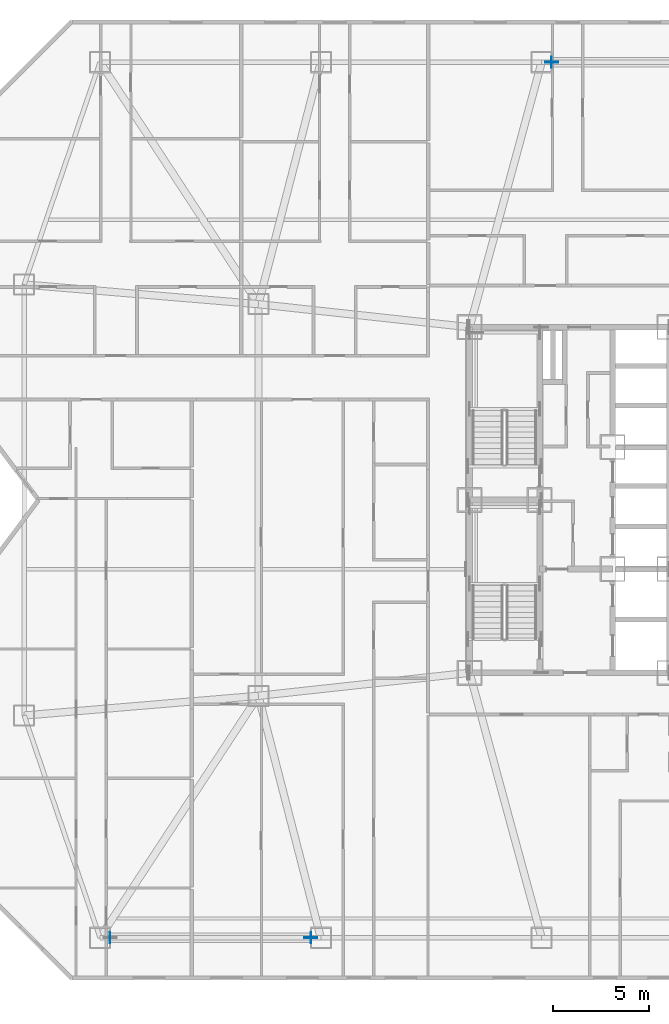
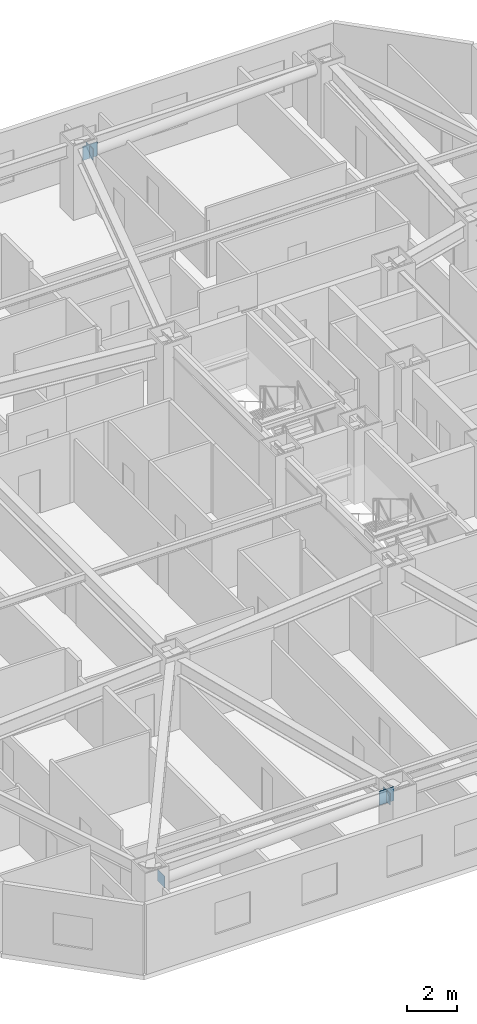
# One storey, part 5 of 16: 5 plates.
"""IFC4 building model written with IfcOpenShell, lengths in metres."""

from ifc_helpers import new_model, si_unit, direction, frame, origin, origin_2d, place, context, subcontext, project, spatial, rectangle, extrude, material, layer, layer_set, type_object, element, save


model = new_model("IFC4")

# Units and contexts
model_context = context("Model", 3, precision=1e-05, world=origin(), true_north=direction((0.0, 1.0)))
body_context = subcontext(model_context, "Body", "Model", "MODEL_VIEW")
ifc_project = project(units=[si_unit("LENGTHUNIT", "METRE"), si_unit("AREAUNIT", "SQUARE_METRE"), si_unit("VOLUMEUNIT", "CUBIC_METRE"), si_unit("PLANEANGLEUNIT", "RADIAN"), si_unit("MASSUNIT", "GRAM", prefix="KILO")], contexts=[model_context])

# Site, building, storey
site_placement = place(None, origin())
site = spatial("IfcSite", under=ifc_project, at=site_placement, CompositionType="ELEMENT")
building_placement = place(site_placement, origin())
building = spatial("IfcBuilding", under=site, at=building_placement, Name="Khamvora Tower", CompositionType="ELEMENT")
storey_placement = place(building_placement, frame((0.0, 0.0, 66.14990234375)))
storey = spatial("IfcBuildingStorey", under=building, at=storey_placement, Name="L16", CompositionType="ELEMENT", Elevation=66.14990234375)

# Plates
ifc_material_1 = material(Name="Steel S355", Category="steel")
ifc_layer_1 = layer(ifc_material_1, 0.02490234375)
ifc_layer_set_1 = layer_set([ifc_layer_1], Name="Steel S355")
plate_type_1 = type_object("IfcPlateType", Name="PL-CAP-25", PredefinedType="SHEET", material=ifc_layer_set_1)
for number, where, z_axis, x_axis, name in (
    (1, (10.26806640625, 5.199951171875, 2.416015625), (0.0, 0.0, 1.0), (1.0, 0.0, 0.0), "L16 hollow section steel end cap plate 0592"),
    (2, (20.73193359375, 5.199951171875, 2.81787109375), (0.0, 0.0, 1.0), (1.0, 0.0, 0.0), "L16 hollow section steel end cap plate 0593"),
    (3, (33.26806640625, 50.800048828125, 2.416015625), (0.0, 0.0, 1.0), (1.0, 0.0, 0.0), "L16 hollow section steel end cap plate 0594"),
):
    element("IfcPlate", number, at=place(storey_placement, frame(where, z_axis=z_axis, x_axis=x_axis)), inside=storey, type_object=plate_type_1, Name=name, PredefinedType="SHEET", context=body_context, shape_type="SweptSolid", body=[
        extrude(rectangle(XDim=0.02490234375, YDim=0.568115234375, at=origin_2d()), origin(), (0.0, 0.0, 1.0), 0.568115234375),
    ])
ifc_material_2 = material(Name="Steel S460", Category="steel")
ifc_layer_2 = layer(ifc_material_2, 0.0400390625)
ifc_layer_set_2 = layer_set([ifc_layer_2], Name="Steel S460")
plate_type_2 = type_object("IfcPlateType", Name="PLT-GUS-40", PredefinedType="SHEET", material=ifc_layer_set_2)
for number, where, z_axis, x_axis, name in (
    (4, (20.719970703125, 5.199951171875, 2.76220703125), (0.0, 0.0, 1.0), (1.0, 0.0, 0.0), "L16 brace connection node gusset plate 0110"),
    (5, (33.280029296875, 50.800048828125, 2.3603515625), (0.0, 0.0, 1.0), (1.0, 0.0, 0.0), "L16 brace connection node gusset plate 0111"),
):
    element("IfcPlate", number, at=place(storey_placement, frame(where, z_axis=z_axis, x_axis=x_axis)), inside=storey, type_object=plate_type_2, Name=name, PredefinedType="SHEET", context=body_context, shape_type="SweptSolid", body=[
        extrude(rectangle(XDim=0.679931640625, YDim=0.0400390625, at=origin_2d()), origin(), (0.0, 0.0, 1.0), 0.679931640625),
    ])

save(model, "model.ifc")
